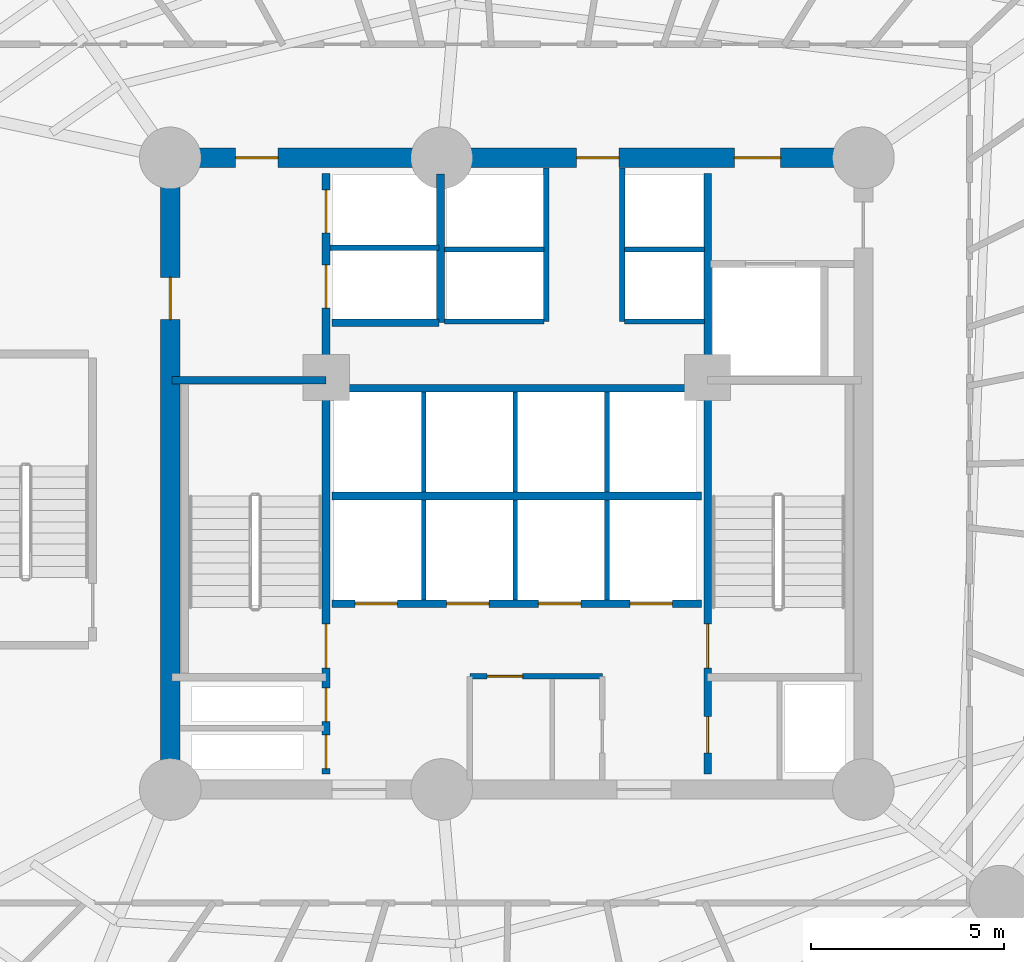
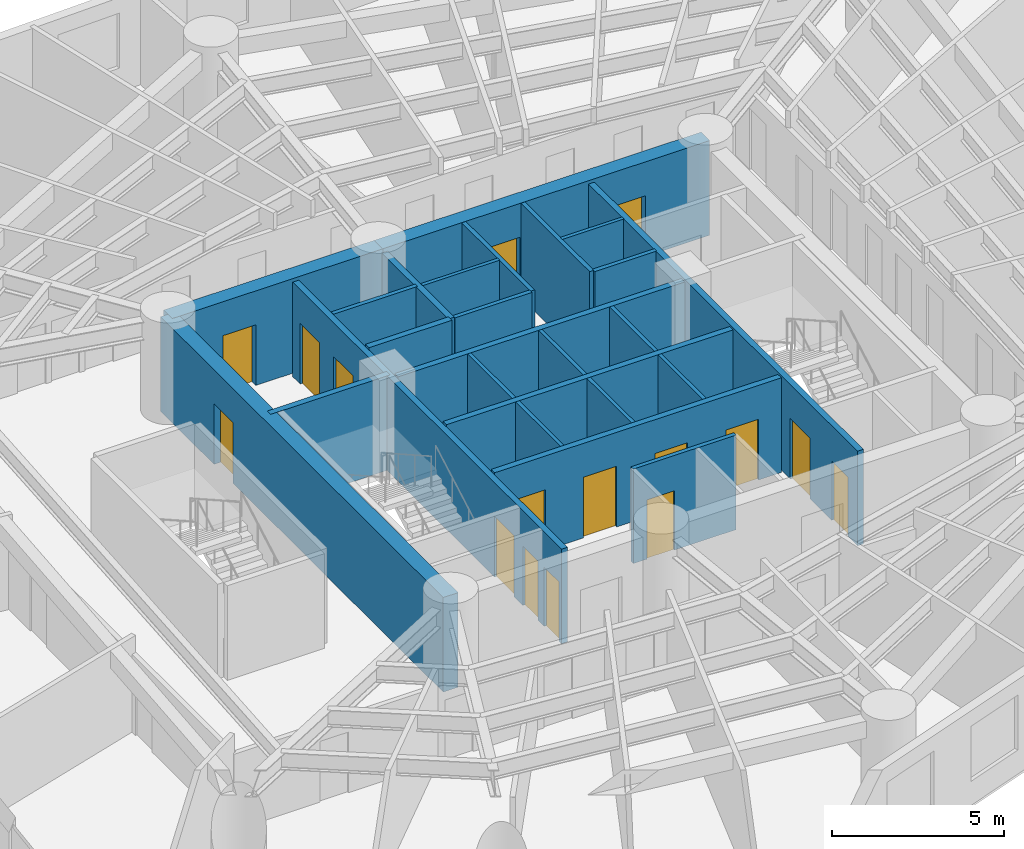
# One storey, part 4 of 8: 25 walls, 16 doors, 16 openings.
"""IFC4 building model written with IfcOpenShell, lengths in metres."""

from ifc_helpers import new_model, si_unit, direction, frame, frame_2d, origin, origin_with_axes, place, context, subcontext, project, spatial, rectangle, extrude, source, transform, mapped, material, layer, layer_set, type_object, element, fill, save


model = new_model("IFC4")

# Units and contexts
model_context = context("Model", 3, precision=1e-05, world=origin(), true_north=direction((0.0, 1.0)))
body_context = subcontext(model_context, "Body", "Model", "MODEL_VIEW")
ifc_project = project(units=[si_unit("LENGTHUNIT", "METRE"), si_unit("AREAUNIT", "SQUARE_METRE"), si_unit("VOLUMEUNIT", "CUBIC_METRE"), si_unit("PLANEANGLEUNIT", "RADIAN"), si_unit("MASSUNIT", "GRAM", prefix="KILO")], contexts=[model_context])

# Site, building, storey
site_placement = place(None, origin())
site = spatial("IfcSite", under=ifc_project, at=site_placement, CompositionType="ELEMENT")
building_placement = place(site_placement, origin())
building = spatial("IfcBuilding", under=site, at=building_placement, Name="Karkom Vertical University and Central Library", CompositionType="ELEMENT")
storey_placement = place(building_placement, frame((0.0, 0.0, 33.699951171875)))
storey = spatial("IfcBuildingStorey", under=building, at=storey_placement, Name="L08", CompositionType="ELEMENT", Elevation=33.699951171875)

# Walls
ifc_material_1 = material(Name="Moisture-resistant drywall 120mm", Category="gypsum")
ifc_layer_1 = layer(ifc_material_1, 0.1201171875)
ifc_layer_set_1 = layer_set([ifc_layer_1], Name="Moisture-resistant drywall 120mm")
wall_type_1 = type_object("IfcWallType", Name="INT-WL-INT-120H", PredefinedType="PARTITIONING", material=ifc_layer_set_1)
for number, where, z_axis, x_axis, name in (
    (1, (26.080078125, 23.219970703125, 0.0), (0.0, 0.0, 1.0), (0.0, 1.0, 0.0), "Level 08 Interior Partition Wall Level 08-CW-PL-DIV1"),
    (2, (28.4599609375, 23.219970703125, 0.0), (0.0, 0.0, 1.0), (0.0, 1.0, 0.0), "Level 08 Interior Partition Wall Level 08-CW-PL-DIV2"),
    (3, (30.840087890625, 23.219970703125, 0.0), (0.0, 0.0, 1.0), (0.0, 1.0, 0.0), "Level 08 Interior Partition Wall Level 08-CW-PL-DIV3"),
    (4, (26.080078125, 26.02001953125, 0.0), (0.0, 0.0, 1.0), (0.0, 1.0, 0.0), "Level 08 Interior Partition Wall Level 08-CW-PM-DIV1"),
    (5, (28.4599609375, 26.02001953125, 0.0), (0.0, 0.0, 1.0), (0.0, 1.0, 0.0), "Level 08 Interior Partition Wall Level 08-CW-PM-DIV2"),
    (6, (30.840087890625, 26.02001953125, 0.0), (0.0, 0.0, 1.0), (0.0, 1.0, 0.0), "Level 08 Interior Partition Wall Level 08-CW-PM-DIV3"),
):
    element("IfcWall", number, at=place(storey_placement, frame(where, z_axis=z_axis, x_axis=x_axis)), inside=storey, type_object=wall_type_1, Name=name, PredefinedType="PARTITIONING", context=body_context, shape_type="SweptSolid", body=[
        extrude(rectangle(XDim=2.60009765625, YDim=0.1201171875, at=frame_2d((1.300048828125, 0.0))), origin(), (0.0, 0.0, 1.0), 3.35009765625),
    ])
wall_1_placement = place(storey_placement, frame((26.6201171875, 32.320068359375, 0.0), z_axis=(0.0, 0.0, 1.0), x_axis=(1.0, 0.0, 0.0)))
element("IfcWall", 7, at=wall_1_placement, inside=storey, type_object=wall_type_1, Name="Level 08 Interior Partition Wall Level 08-CW-PH-MW", PredefinedType="PARTITIONING", context=body_context, shape_type="SweptSolid", body=[
    extrude(rectangle(XDim=2.579833984375, YDim=0.1201171875, at=frame_2d((1.2900390625, 0.0))), origin(), (0.0, 0.0, 1.0), 3.35009765625),
])
wall_2_placement = place(storey_placement, frame((31.300048828125, 32.320068359375, 0.0), z_axis=(0.0, 0.0, 1.0), x_axis=(1.0, 0.0, 0.0)))
element("IfcWall", 8, at=wall_2_placement, inside=storey, type_object=wall_type_1, Name="Level 08 Interior Partition Wall Level 08-CW-PH-ME", PredefinedType="PARTITIONING", context=body_context, shape_type="SweptSolid", body=[
    extrude(rectangle(XDim=2.074951171875, YDim=0.1201171875, at=frame_2d((1.03759765625, 0.0))), origin(), (0.0, 0.0, 1.0), 3.35009765625),
])

# Wall, opening, door
ifc_material_2 = material(Name="Metal-stud gypsum partition 140mm", Category="gypsum")
ifc_layer_2 = layer(ifc_material_2, 0.139892578125)
ifc_layer_set_2 = layer_set([ifc_layer_2], Name="Metal-stud gypsum partition 140mm")
wall_type_2 = type_object("IfcWallType", Name="INT-WL-SUB-140", PredefinedType="PARTITIONING", material=ifc_layer_set_2)
wall_3_placement = place(storey_placement, frame((27.280029296875, 21.239990234375, 0.0), z_axis=(0.0, 0.0, 1.0), x_axis=(1.0, 0.0, 0.0)))
wall_3 = element("IfcWall", 9, at=wall_3_placement, inside=storey, type_object=wall_type_2, Name="Level 08 Interior Partition Wall Level 08-CW-KBAY-N", PredefinedType="PARTITIONING", context=body_context, shape_type="SweptSolid", body=[
    extrude(rectangle(XDim=3.43994140625, YDim=0.139892578125, at=frame_2d((1.719970703125, 0.0))), origin(), (0.0, 0.0, 1.0), 3.35009765625),
])
opening_1_placement = place(wall_3_placement, frame((0.449951171875, 0.0, 0.0)))
opening_1 = element("IfcOpeningElement", 10, at=opening_1_placement, cuts=wall_3, Name="Opening D-SVC1", PredefinedType="OPENING", context=body_context, shape_type="SweptSolid", body=[
    extrude(rectangle(XDim=0.919921875, YDim=2.10009765625, at=frame_2d((0.4599609375, 1.050048828125))), frame((0.0, 0.080078125, 0.0), z_axis=(0.0, -1.0, 0.0), x_axis=(1.0, 0.0, 0.0)), (0.0, 0.0, 1.0), 0.159912109375),
])
ifc_material_3 = material(Name="Painted timber service door", Category="wood")
door_type_1 = type_object("IfcDoorType", Name="INT-DR-SVC1", OperationType="NOTDEFINED", PredefinedType="DOOR", material=ifc_material_3)
shared_shape_1 = source(origin_with_axes(), body_context, "Body", "SweptSolid", [
    extrude(rectangle(XDim=0.919921875, YDim=2.10009765625, at=frame_2d((0.4599609375, 1.050048828125))), frame((0.0, 0.02490234375, 0.0), z_axis=(0.0, -1.0, 0.0), x_axis=(1.0, 0.0, 0.0)), (0.0, 0.0, 1.0), 0.050048828125),
])
door_1_placement = place(opening_1_placement, origin())
door_1 = element("IfcDoor", 11, at=door_1_placement, inside=storey, type_object=door_type_1, Name="Level 08 Copy Room Door", OperationType="SINGLE_SWING_RIGHT", OverallHeight=2.10009765625, OverallWidth=0.919921875, PredefinedType="DOOR", context=body_context, shape_type="MappedRepresentation", body=[
    mapped(shared_shape_1, transform((0.0, 0.0, 0.0), scale=1.0)),
])
fill(opening_1, door_1)

# Walls
ifc_layer_3 = layer(ifc_material_2, 0.139892578125)
ifc_layer_set_3 = layer_set([ifc_layer_3], Name="Metal-stud gypsum partition 140mm")
wall_type_3 = type_object("IfcWallType", Name="INT-WL-SUB-140H", PredefinedType="PARTITIONING", material=ifc_layer_set_3)
for number, where, z_axis, x_axis, name in (
    (12, (29.260009765625, 30.449951171875, 0.0), (0.0, 0.0, 1.0), (0.0, 1.0, 0.0), "Level 08 Interior Partition Wall Level 08-CW-PH-W"),
    (13, (31.239990234375, 30.449951171875, 0.0), (0.0, 0.0, 1.0), (0.0, 1.0, 0.0), "Level 08 Interior Partition Wall Level 08-CW-PH-E"),
):
    element("IfcWall", number, at=place(storey_placement, frame(where, z_axis=z_axis, x_axis=x_axis)), inside=storey, type_object=wall_type_3, Name=name, PredefinedType="PARTITIONING", context=body_context, shape_type="SweptSolid", body=[
        extrude(rectangle(XDim=3.9931640625, YDim=0.139892578125, at=frame_2d((1.99658203125, 0.0))), origin(), (0.0, 0.0, 1.0), 3.35009765625),
    ])
wall_4_placement = place(storey_placement, frame((26.6201171875, 30.449951171875, 0.0), z_axis=(0.0, 0.0, 1.0), x_axis=(1.0, 0.0, 0.0)))
element("IfcWall", 14, at=wall_4_placement, inside=storey, type_object=wall_type_3, Name="Level 08 Interior Partition Wall Level 08-CW-PH-S1", PredefinedType="PARTITIONING", context=body_context, shape_type="SweptSolid", body=[
    extrude(rectangle(XDim=2.579833984375, YDim=0.139892578125, at=frame_2d((1.2900390625, 0.0))), origin(), (0.0, 0.0, 1.0), 3.35009765625),
])
wall_5_placement = place(storey_placement, frame((31.300048828125, 30.449951171875, 0.0), z_axis=(0.0, 0.0, 1.0), x_axis=(1.0, 0.0, 0.0)))
element("IfcWall", 15, at=wall_5_placement, inside=storey, type_object=wall_type_3, Name="Level 08 Interior Partition Wall Level 08-CW-PH-S2", PredefinedType="PARTITIONING", context=body_context, shape_type="SweptSolid", body=[
    extrude(rectangle(XDim=2.074951171875, YDim=0.139892578125, at=frame_2d((1.03759765625, 0.0))), origin(), (0.0, 0.0, 1.0), 3.35009765625),
])
ifc_layer_4 = layer(ifc_material_2, 0.139892578125)
ifc_layer_set_4 = layer_set([ifc_layer_4], Name="Metal-stud gypsum partition 140mm")
wall_type_4 = type_object("IfcWallType", Name="INT-WL-SUB-140X", PredefinedType="PARTITIONING", material=ifc_layer_set_4)
wall_6_placement = place(storey_placement, frame((23.652099609375, 32.3701171875, 0.0), z_axis=(0.0, 0.0, 1.0), x_axis=(1.0, 0.0, 0.0)))
element("IfcWall", 16, at=wall_6_placement, inside=storey, type_object=wall_type_4, Name="Level 08 Interior Partition Wall Level 08-CW-FFL-M", PredefinedType="PARTITIONING", context=body_context, shape_type="SweptSolid", body=[
    extrude(rectangle(XDim=2.827880859375, YDim=0.139892578125, at=frame_2d((1.4140625, 0.0))), origin(), (0.0, 0.0, 1.0), 3.35009765625),
])

# Wall, openings, doors
ifc_material_4 = material(Name="Concrete C50/60", Category="concrete")
ifc_layer_5 = layer(ifc_material_4, 0.5)
ifc_layer_set_5 = layer_set([ifc_layer_5], Name="Concrete C50/60")
wall_type_5 = type_object("IfcWallType", Name="STR-WL-CW-500", PredefinedType="SHEAR", material=ifc_layer_set_5)
wall_7_placement = place(storey_placement, frame((37.5, 34.699951171875, 0.0), z_axis=(0.0, 0.0, 1.0), x_axis=(-1.0, 0.0, 0.0)))
wall_7 = element("IfcWall", 17, at=wall_7_placement, inside=storey, type_object=wall_type_5, Name="Level 08 Central Core Shear Wall NW1", PredefinedType="SHEAR", context=body_context, shape_type="SweptSolid", body=[
    extrude(rectangle(XDim=10.949951171875, YDim=0.5, at=frame_2d((5.47509765625, 0.0))), origin(), (0.0, 0.0, 1.0), 3.35009765625),
])
opening_2_placement = place(wall_7_placement, frame((2.14990234375, 0.0, 0.0)))
opening_2 = element("IfcOpeningElement", 18, at=opening_2_placement, cuts=wall_7, Name="Opening FD-SUB1", PredefinedType="OPENING", context=body_context, shape_type="SweptSolid", body=[
    extrude(rectangle(XDim=1.199951171875, YDim=2.14990234375, at=frame_2d((0.60009765625, 1.074951171875))), frame((0.0, 0.260009765625, 0.0), z_axis=(0.0, -1.0, 0.0), x_axis=(1.0, 0.0, 0.0)), (0.0, 0.0, 1.0), 0.52001953125),
])
opening_3_placement = place(wall_7_placement, frame((6.35009765625, 0.0, 0.0)))
opening_3 = element("IfcOpeningElement", 19, at=opening_3_placement, cuts=wall_7, Name="Opening FD-FFL", PredefinedType="OPENING", context=body_context, shape_type="SweptSolid", body=[
    extrude(rectangle(XDim=1.10009765625, YDim=2.14990234375, at=frame_2d((0.550048828125, 1.074951171875))), frame((0.0, 0.260009765625, 0.0), z_axis=(0.0, -1.0, 0.0), x_axis=(1.0, 0.0, 0.0)), (0.0, 0.0, 1.0), 0.52001953125),
])
ifc_material_5 = material(Name="Painted steel smoke-seal fire door", Category="steel")
door_type_2 = type_object("IfcDoorType", Name="INT-DR-FFL", OperationType="NOTDEFINED", PredefinedType="DOOR", material=ifc_material_5)
shared_shape_2 = source(origin_with_axes(), body_context, "Body", "SweptSolid", [
    extrude(rectangle(XDim=1.10009765625, YDim=2.14990234375, at=frame_2d((0.550048828125, 1.074951171875))), frame((0.0, 0.02490234375, 0.0), z_axis=(0.0, -1.0, 0.0), x_axis=(1.0, 0.0, 0.0)), (0.0, 0.0, 1.0), 0.050048828125),
])
door_2_placement = place(opening_3_placement, origin())
door_2 = element("IfcDoor", 20, at=door_2_placement, inside=storey, type_object=door_type_2, Name="Level 08 North Core Lobby Exit Door", OperationType="SINGLE_SWING_RIGHT", OverallHeight=2.14990234375, OverallWidth=1.10009765625, PredefinedType="DOOR", context=body_context, shape_type="MappedRepresentation", body=[
    mapped(shared_shape_2, transform((0.0, 0.0, 0.0), scale=1.0)),
])
fill(opening_3, door_2)
ifc_material_6 = material(Name="Painted steel fire door", Category="steel")
door_type_3 = type_object("IfcDoorType", Name="INT-DR-SUB1", OperationType="NOTDEFINED", PredefinedType="DOOR", material=ifc_material_6)
shared_shape_3 = source(origin_with_axes(), body_context, "Body", "SweptSolid", [
    extrude(rectangle(XDim=1.199951171875, YDim=2.14990234375, at=frame_2d((0.60009765625, 1.074951171875))), frame((0.0, 0.02490234375, 0.0), z_axis=(0.0, -1.0, 0.0), x_axis=(1.0, 0.0, 0.0)), (0.0, 0.0, 1.0), 0.050048828125),
])
door_3_placement = place(opening_2_placement, origin())
door_3 = element("IfcDoor", 21, at=door_3_placement, inside=storey, type_object=door_type_3, Name="Level 08 Service Lobby Fire Door", OperationType="SINGLE_SWING_RIGHT", OverallHeight=2.14990234375, OverallWidth=1.199951171875, PredefinedType="DOOR", context=body_context, shape_type="MappedRepresentation", body=[
    mapped(shared_shape_3, transform((0.0, 0.0, 0.0), scale=1.0)),
])
fill(opening_2, door_3)

# Wall, opening, door
wall_8_placement = place(storey_placement, frame((26.550048828125, 34.699951171875, 0.0), z_axis=(0.0, 0.0, 1.0), x_axis=(-1.0, 0.0, 0.0)))
wall_8 = element("IfcWall", 22, at=wall_8_placement, inside=storey, type_object=wall_type_5, Name="Level 08 Central Core Shear Wall NW2", PredefinedType="SHEAR", context=body_context, shape_type="SweptSolid", body=[
    extrude(rectangle(XDim=7.050048828125, YDim=0.5, at=frame_2d((3.52490234375, 0.0))), origin(), (0.0, 0.0, 1.0), 3.35009765625),
])
opening_4_placement = place(wall_8_placement, frame((4.25, 0.0, 0.0)))
opening_4 = element("IfcOpeningElement", 23, at=opening_4_placement, cuts=wall_8, Name="Opening FD-FFL", PredefinedType="OPENING", context=body_context, shape_type="SweptSolid", body=[
    extrude(rectangle(XDim=1.10009765625, YDim=2.14990234375, at=frame_2d((0.550048828125, 1.074951171875))), frame((0.0, 0.260009765625, 0.0), z_axis=(0.0, -1.0, 0.0), x_axis=(1.0, 0.0, 0.0)), (0.0, 0.0, 1.0), 0.52001953125),
])
door_4_placement = place(opening_4_placement, origin())
door_4 = element("IfcDoor", 24, at=door_4_placement, inside=storey, type_object=door_type_2, Name="Level 08 Firefighting Lobby Door", OperationType="SINGLE_SWING_LEFT", OverallHeight=2.14990234375, OverallWidth=1.10009765625, PredefinedType="DOOR", context=body_context, shape_type="MappedRepresentation", body=[
    mapped(shared_shape_2, transform((0.0, 0.0, 0.0), scale=1.0)),
])
fill(opening_4, door_4)

wall_9_placement = place(storey_placement, frame((19.5, 34.699951171875, 0.0), z_axis=(0.0, 0.0, 1.0), x_axis=(0.0, -1.0, 0.0)))
wall_9 = element("IfcWall", 25, at=wall_9_placement, inside=storey, type_object=wall_type_5, Name="Level 08 Central Core Shear Wall WW", PredefinedType="SHEAR", context=body_context, shape_type="SweptSolid", body=[
    extrude(rectangle(XDim=16.39990234375, YDim=0.5, at=frame_2d((8.199951171875, 0.0))), origin(), (0.0, 0.0, 1.0), 3.35009765625),
])
opening_5_placement = place(wall_9_placement, frame((3.10009765625, 0.0, 0.0)))
opening_5 = element("IfcOpeningElement", 26, at=opening_5_placement, cuts=wall_9, Name="Opening FD-FFL", PredefinedType="OPENING", context=body_context, shape_type="SweptSolid", body=[
    extrude(rectangle(XDim=1.10009765625, YDim=2.14990234375, at=frame_2d((0.550048828125, 1.074951171875))), frame((0.0, 0.260009765625, 0.0), z_axis=(0.0, -1.0, 0.0), x_axis=(1.0, 0.0, 0.0)), (0.0, 0.0, 1.0), 0.52001953125),
])
door_5_placement = place(opening_5_placement, origin())
door_5 = element("IfcDoor", 27, at=door_5_placement, inside=storey, type_object=door_type_2, Name="Level 08 West Corridor Firefighting Lobby Door", OperationType="SINGLE_SWING_RIGHT", OverallHeight=2.14990234375, OverallWidth=1.10009765625, PredefinedType="DOOR", context=body_context, shape_type="MappedRepresentation", body=[
    mapped(shared_shape_2, transform((0.0, 0.0, 0.0), scale=1.0)),
])
fill(opening_5, door_5)

# Wall, openings, doors
ifc_material_7 = material(Name="Concrete C45/55", Category="concrete")
ifc_layer_6 = layer(ifc_material_7, 0.199951171875)
ifc_layer_set_6 = layer_set([ifc_layer_6], Name="Concrete C45/55")
wall_type_6 = type_object("IfcWallType", Name="STR-WL-ST-200", PredefinedType="SHEAR", material=ifc_layer_set_6)
wall_10_placement = place(storey_placement, frame((23.544921875, 18.699951171875, 0.0), z_axis=(0.0, 0.0, 1.0), x_axis=(0.0, 1.0, 0.0)))
wall_10 = element("IfcWall", 28, at=wall_10_placement, inside=storey, type_object=wall_type_6, Name="Level 08 Core Shaft Wall Level 08-CW-ST1-E", PredefinedType="SHEAR", context=body_context, shape_type="SweptSolid", body=[
    extrude(rectangle(XDim=15.60009765625, YDim=0.199951171875, at=frame_2d((7.800048828125, 0.0))), origin(), (0.0, 0.0, 1.0), 3.35009765625),
])
opening_6_placement = place(wall_10_placement, frame((2.75, 0.0, 0.0)))
opening_6 = element("IfcOpeningElement", 29, at=opening_6_placement, cuts=wall_10, Name="Opening FD-ST1", PredefinedType="OPENING", context=body_context, shape_type="SweptSolid", body=[
    extrude(rectangle(XDim=1.14990234375, YDim=2.14990234375, at=frame_2d((0.574951171875, 1.074951171875))), frame((0.0, 0.10986328125, 0.0), z_axis=(0.0, -1.0, 0.0), x_axis=(1.0, 0.0, 0.0)), (0.0, 0.0, 1.0), 0.219970703125),
])
opening_7_placement = place(wall_10_placement, frame((0.139892578125, 0.0, 0.0)))
opening_7 = element("IfcOpeningElement", 30, at=opening_7_placement, cuts=wall_10, Name="Opening FD-RIS", PredefinedType="OPENING", context=body_context, shape_type="SweptSolid", body=[
    extrude(rectangle(XDim=0.8798828125, YDim=2.10009765625, at=frame_2d((0.43994140625, 1.050048828125))), frame((0.0, 0.10986328125, 0.0), z_axis=(0.0, -1.0, 0.0), x_axis=(1.0, 0.0, 0.0)), (0.0, 0.0, 1.0), 0.219970703125),
])
opening_8_placement = place(wall_10_placement, frame((1.360107421875, 0.0, 0.0)))
opening_8 = element("IfcOpeningElement", 31, at=opening_8_placement, cuts=wall_10, Name="Opening FD-RIS", PredefinedType="OPENING", context=body_context, shape_type="SweptSolid", body=[
    extrude(rectangle(XDim=0.8798828125, YDim=2.10009765625, at=frame_2d((0.43994140625, 1.050048828125))), frame((0.0, 0.10986328125, 0.0), z_axis=(0.0, -1.0, 0.0), x_axis=(1.0, 0.0, 0.0)), (0.0, 0.0, 1.0), 0.219970703125),
])
opening_9_placement = place(wall_10_placement, frame((12.10009765625, 0.0, 0.0)))
opening_9 = element("IfcOpeningElement", 32, at=opening_9_placement, cuts=wall_10, Name="Opening LD-FFL", PredefinedType="OPENING", context=body_context, shape_type="SweptSolid", body=[
    extrude(rectangle(XDim=1.1201171875, YDim=2.14990234375, at=frame_2d((0.56005859375, 1.074951171875))), frame((0.0, 0.10986328125, 0.0), z_axis=(0.0, -1.0, 0.0), x_axis=(1.0, 0.0, 0.0)), (0.0, 0.0, 1.0), 0.219970703125),
])
opening_10_placement = place(wall_10_placement, frame((14.050048828125, 0.0, 0.0)))
opening_10 = element("IfcOpeningElement", 33, at=opening_10_placement, cuts=wall_10, Name="Opening LD-FFL", PredefinedType="OPENING", context=body_context, shape_type="SweptSolid", body=[
    extrude(rectangle(XDim=1.1201171875, YDim=2.14990234375, at=frame_2d((0.56005859375, 1.074951171875))), frame((0.0, 0.10986328125, 0.0), z_axis=(0.0, -1.0, 0.0), x_axis=(1.0, 0.0, 0.0)), (0.0, 0.0, 1.0), 0.219970703125),
])
ifc_material_8 = material(Name="Painted steel acoustic fire door", Category="steel")
door_type_4 = type_object("IfcDoorType", Name="INT-DR-ST1", OperationType="NOTDEFINED", PredefinedType="DOOR", material=ifc_material_8)
shared_shape_4 = source(origin_with_axes(), body_context, "Body", "SweptSolid", [
    extrude(rectangle(XDim=1.14990234375, YDim=2.14990234375, at=frame_2d((0.574951171875, 1.074951171875))), frame((0.0, 0.02490234375, 0.0), z_axis=(0.0, -1.0, 0.0), x_axis=(1.0, 0.0, 0.0)), (0.0, 0.0, 1.0), 0.050048828125),
])
door_6_placement = place(opening_6_placement, origin())
door_6 = element("IfcDoor", 34, at=door_6_placement, inside=storey, type_object=door_type_4, Name="Level 08 Stair ST-1 Fire Door", OperationType="SINGLE_SWING_LEFT", OverallHeight=2.14990234375, OverallWidth=1.14990234375, PredefinedType="DOOR", context=body_context, shape_type="MappedRepresentation", body=[
    mapped(shared_shape_4, transform((0.0, 0.0, 0.0), scale=1.0)),
])
fill(opening_6, door_6)
ifc_material_9 = material(Name="Painted steel riser access door", Category="steel")
door_type_5 = type_object("IfcDoorType", Name="INT-DR-RIS", OperationType="NOTDEFINED", PredefinedType="DOOR", material=ifc_material_9)
shared_shape_5 = source(origin_with_axes(), body_context, "Body", "SweptSolid", [
    extrude(rectangle(XDim=0.8798828125, YDim=2.10009765625, at=frame_2d((0.43994140625, 1.050048828125))), frame((0.0, 0.02490234375, 0.0), z_axis=(0.0, -1.0, 0.0), x_axis=(1.0, 0.0, 0.0)), (0.0, 0.0, 1.0), 0.050048828125),
])
door_7_placement = place(opening_7_placement, origin())
door_7 = element("IfcDoor", 35, at=door_7_placement, inside=storey, type_object=door_type_5, Name="Level 08 Electrical Riser Access Door", OperationType="SINGLE_SWING_LEFT", OverallHeight=2.10009765625, OverallWidth=0.8798828125, PredefinedType="DOOR", context=body_context, shape_type="MappedRepresentation", body=[
    mapped(shared_shape_5, transform((0.0, 0.0, 0.0), scale=1.0)),
])
fill(opening_7, door_7)
door_8_placement = place(opening_8_placement, origin())
door_8 = element("IfcDoor", 36, at=door_8_placement, inside=storey, type_object=door_type_5, Name="Level 08 Telecom Riser Access Door", OperationType="SINGLE_SWING_RIGHT", OverallHeight=2.10009765625, OverallWidth=0.8798828125, PredefinedType="DOOR", context=body_context, shape_type="MappedRepresentation", body=[
    mapped(shared_shape_5, transform((0.0, 0.0, 0.0), scale=1.0)),
])
fill(opening_8, door_8)
ifc_material_10 = material(Name="Fire-rated stainless-steel landing door", Category="steel")
door_type_6 = type_object("IfcDoorType", Name="INT-DR-LD-FFL", OperationType="SLIDING_TO_LEFT", PredefinedType="DOOR", material=ifc_material_10)
shared_shape_6 = source(origin_with_axes(), body_context, "Body", "SweptSolid", [
    extrude(rectangle(XDim=1.1201171875, YDim=2.14990234375, at=frame_2d((0.56005859375, 1.074951171875))), frame((0.0, 0.02490234375, 0.0), z_axis=(0.0, -1.0, 0.0), x_axis=(1.0, 0.0, 0.0)), (0.0, 0.0, 1.0), 0.050048828125),
])
door_9_placement = place(opening_9_placement, origin())
door_9 = element("IfcDoor", 37, at=door_9_placement, inside=storey, type_object=door_type_6, Name="Level 08 Firefighting Lift FFL-1 Landing Door", OperationType="SLIDING_TO_LEFT", OverallHeight=2.14990234375, OverallWidth=1.1201171875, PredefinedType="DOOR", context=body_context, shape_type="MappedRepresentation", body=[
    mapped(shared_shape_6, transform((0.0, 0.0, 0.0), scale=1.0)),
])
fill(opening_9, door_9)
door_10_placement = place(opening_10_placement, origin())
door_10 = element("IfcDoor", 38, at=door_10_placement, inside=storey, type_object=door_type_6, Name="Level 08 Firefighting Lift FFL-2 Landing Door", OperationType="SLIDING_TO_RIGHT", OverallHeight=2.14990234375, OverallWidth=1.1201171875, PredefinedType="DOOR", context=body_context, shape_type="MappedRepresentation", body=[
    mapped(shared_shape_6, transform((0.0, 0.0, 0.0), scale=1.0)),
])
fill(opening_10, door_10)

wall_11_placement = place(storey_placement, frame((33.455078125, 18.699951171875, 0.0), z_axis=(0.0, 0.0, 1.0), x_axis=(0.0, 1.0, 0.0)))
wall_11 = element("IfcWall", 39, at=wall_11_placement, inside=storey, type_object=wall_type_6, Name="Level 08 Core Shaft Wall Level 08-CW-ST2-W", PredefinedType="SHEAR", context=body_context, shape_type="SweptSolid", body=[
    extrude(rectangle(XDim=15.60009765625, YDim=0.199951171875, at=frame_2d((7.800048828125, 0.0))), origin(), (0.0, 0.0, 1.0), 3.35009765625),
])
opening_11_placement = place(wall_11_placement, frame((2.75, 0.0, 0.0)))
opening_11 = element("IfcOpeningElement", 40, at=opening_11_placement, cuts=wall_11, Name="Opening FD-ST1", PredefinedType="OPENING", context=body_context, shape_type="SweptSolid", body=[
    extrude(rectangle(XDim=1.14990234375, YDim=2.14990234375, at=frame_2d((0.574951171875, 1.074951171875))), frame((0.0, 0.10986328125, 0.0), z_axis=(0.0, -1.0, 0.0), x_axis=(1.0, 0.0, 0.0)), (0.0, 0.0, 1.0), 0.219970703125),
])
opening_12_placement = place(wall_11_placement, frame((0.550048828125, 0.0, 0.0)))
opening_12 = element("IfcOpeningElement", 41, at=opening_12_placement, cuts=wall_11, Name="Opening D-WC1", PredefinedType="OPENING", context=body_context, shape_type="SweptSolid", body=[
    extrude(rectangle(XDim=0.93994140625, YDim=2.10009765625, at=frame_2d((0.469970703125, 1.050048828125))), frame((0.0, 0.10986328125, 0.0), z_axis=(0.0, -1.0, 0.0), x_axis=(1.0, 0.0, 0.0)), (0.0, 0.0, 1.0), 0.219970703125),
])
door_11_placement = place(opening_11_placement, origin())
door_11 = element("IfcDoor", 42, at=door_11_placement, inside=storey, type_object=door_type_4, Name="Level 08 Stair ST-2 Fire Door", OperationType="SINGLE_SWING_RIGHT", OverallHeight=2.14990234375, OverallWidth=1.14990234375, PredefinedType="DOOR", context=body_context, shape_type="MappedRepresentation", body=[
    mapped(shared_shape_4, transform((0.0, 0.0, 0.0), scale=1.0)),
])
fill(opening_11, door_11)
ifc_material_11 = material(Name="Fire-rated laminate moisture-resistant door", Category="wood")
door_type_7 = type_object("IfcDoorType", Name="INT-DR-WC1", OperationType="NOTDEFINED", PredefinedType="DOOR", material=ifc_material_11)
shared_shape_7 = source(origin_with_axes(), body_context, "Body", "SweptSolid", [
    extrude(rectangle(XDim=0.93994140625, YDim=2.10009765625, at=frame_2d((0.469970703125, 1.050048828125))), frame((0.0, 0.02490234375, 0.0), z_axis=(0.0, -1.0, 0.0), x_axis=(1.0, 0.0, 0.0)), (0.0, 0.0, 1.0), 0.050048828125),
])
door_12_placement = place(opening_12_placement, origin())
door_12 = element("IfcDoor", 43, at=door_12_placement, inside=storey, type_object=door_type_7, Name="Level 08 Accessible WC Door", OperationType="SINGLE_SWING_LEFT", OverallHeight=2.10009765625, OverallWidth=0.93994140625, PredefinedType="DOOR", context=body_context, shape_type="MappedRepresentation", body=[
    mapped(shared_shape_7, transform((0.0, 0.0, 0.0), scale=1.0)),
])
fill(opening_12, door_12)

wall_12_placement = place(storey_placement, frame((23.699951171875, 23.1201171875, 0.0), z_axis=(0.0, 0.0, 1.0), x_axis=(1.0, 0.0, 0.0)))
wall_12 = element("IfcWall", 44, at=wall_12_placement, inside=storey, type_object=wall_type_6, Name="Level 08 Core Shaft Wall Level 08-CW-B1-S", PredefinedType="SHEAR", context=body_context, shape_type="SweptSolid", body=[
    extrude(rectangle(XDim=9.60009765625, YDim=0.199951171875, at=frame_2d((4.800048828125, 0.0))), origin(), (0.0, 0.0, 1.0), 3.35009765625),
])
opening_13_placement = place(wall_12_placement, frame((0.60009765625, 0.0, 0.0)))
opening_13 = element("IfcOpeningElement", 45, at=opening_13_placement, cuts=wall_12, Name="Opening LD-PAX", PredefinedType="OPENING", context=body_context, shape_type="SweptSolid", body=[
    extrude(rectangle(XDim=1.10009765625, YDim=2.14990234375, at=frame_2d((0.550048828125, 1.074951171875))), frame((0.0, 0.10986328125, 0.0), z_axis=(0.0, -1.0, 0.0), x_axis=(1.0, 0.0, 0.0)), (0.0, 0.0, 1.0), 0.219970703125),
])
opening_14_placement = place(wall_12_placement, frame((2.97998046875, 0.0, 0.0)))
opening_14 = element("IfcOpeningElement", 46, at=opening_14_placement, cuts=wall_12, Name="Opening LD-PAX", PredefinedType="OPENING", context=body_context, shape_type="SweptSolid", body=[
    extrude(rectangle(XDim=1.10009765625, YDim=2.14990234375, at=frame_2d((0.550048828125, 1.074951171875))), frame((0.0, 0.10986328125, 0.0), z_axis=(0.0, -1.0, 0.0), x_axis=(1.0, 0.0, 0.0)), (0.0, 0.0, 1.0), 0.219970703125),
])
opening_15_placement = place(wall_12_placement, frame((5.360107421875, 0.0, 0.0)))
opening_15 = element("IfcOpeningElement", 47, at=opening_15_placement, cuts=wall_12, Name="Opening LD-PAX", PredefinedType="OPENING", context=body_context, shape_type="SweptSolid", body=[
    extrude(rectangle(XDim=1.10009765625, YDim=2.14990234375, at=frame_2d((0.550048828125, 1.074951171875))), frame((0.0, 0.10986328125, 0.0), z_axis=(0.0, -1.0, 0.0), x_axis=(1.0, 0.0, 0.0)), (0.0, 0.0, 1.0), 0.219970703125),
])
opening_16_placement = place(wall_12_placement, frame((7.739990234375, 0.0, 0.0)))
opening_16 = element("IfcOpeningElement", 48, at=opening_16_placement, cuts=wall_12, Name="Opening LD-PAX", PredefinedType="OPENING", context=body_context, shape_type="SweptSolid", body=[
    extrude(rectangle(XDim=1.10009765625, YDim=2.14990234375, at=frame_2d((0.550048828125, 1.074951171875))), frame((0.0, 0.10986328125, 0.0), z_axis=(0.0, -1.0, 0.0), x_axis=(1.0, 0.0, 0.0)), (0.0, 0.0, 1.0), 0.219970703125),
])
ifc_material_12 = material(Name="Brushed stainless-steel landing door", Category="steel")
door_type_8 = type_object("IfcDoorType", Name="INT-DR-LD-PAX", OperationType="SLIDING_TO_LEFT", PredefinedType="DOOR", material=ifc_material_12)
door_13_placement = place(opening_13_placement, origin())
door_13 = element("IfcDoor", 49, at=door_13_placement, inside=storey, type_object=door_type_8, Name="Level 08 Lift PL-1 Landing Door", OperationType="SLIDING_TO_LEFT", OverallHeight=2.14990234375, OverallWidth=1.10009765625, PredefinedType="DOOR", context=body_context, shape_type="MappedRepresentation", body=[
    mapped(shared_shape_2, transform((0.0, 0.0, 0.0), scale=1.0)),
])
fill(opening_13, door_13)
door_14_placement = place(opening_14_placement, origin())
door_14 = element("IfcDoor", 50, at=door_14_placement, inside=storey, type_object=door_type_8, Name="Level 08 Lift PL-2 Landing Door", OperationType="SLIDING_TO_RIGHT", OverallHeight=2.14990234375, OverallWidth=1.10009765625, PredefinedType="DOOR", context=body_context, shape_type="MappedRepresentation", body=[
    mapped(shared_shape_2, transform((0.0, 0.0, 0.0), scale=1.0)),
])
fill(opening_14, door_14)
door_15_placement = place(opening_15_placement, origin())
door_15 = element("IfcDoor", 51, at=door_15_placement, inside=storey, type_object=door_type_8, Name="Level 08 Lift PL-3 Landing Door", OperationType="SLIDING_TO_LEFT", OverallHeight=2.14990234375, OverallWidth=1.10009765625, PredefinedType="DOOR", context=body_context, shape_type="MappedRepresentation", body=[
    mapped(shared_shape_2, transform((0.0, 0.0, 0.0), scale=1.0)),
])
fill(opening_15, door_15)
door_16_placement = place(opening_16_placement, origin())
door_16 = element("IfcDoor", 52, at=door_16_placement, inside=storey, type_object=door_type_8, Name="Level 08 Lift PL-4 Landing Door", OperationType="SLIDING_TO_RIGHT", OverallHeight=2.14990234375, OverallWidth=1.10009765625, PredefinedType="DOOR", context=body_context, shape_type="MappedRepresentation", body=[
    mapped(shared_shape_2, transform((0.0, 0.0, 0.0), scale=1.0)),
])
fill(opening_16, door_16)

# Walls
for number, where, z_axis, x_axis, name in (
    (53, (23.699951171875, 25.919921875, 0.0), (0.0, 0.0, 1.0), (1.0, 0.0, 0.0), "Level 08 Core Shaft Wall Level 08-CW-B1-N"),
    (54, (23.699951171875, 28.719970703125, 0.0), (0.0, 0.0, 1.0), (1.0, 0.0, 0.0), "Level 08 Core Shaft Wall Level 08-CW-B2-N"),
):
    element("IfcWall", number, at=place(storey_placement, frame(where, z_axis=z_axis, x_axis=x_axis)), inside=storey, type_object=wall_type_6, Name=name, PredefinedType="SHEAR", context=body_context, shape_type="SweptSolid", body=[
        extrude(rectangle(XDim=9.60009765625, YDim=0.199951171875, at=frame_2d((4.800048828125, 0.0))), origin(), (0.0, 0.0, 1.0), 3.35009765625),
    ])
wall_13_placement = place(storey_placement, frame((19.550048828125, 28.925048828125, 0.0), z_axis=(0.0, 0.0, 1.0), x_axis=(1.0, 0.0, 0.0)))
element("IfcWall", 55, at=wall_13_placement, inside=storey, type_object=wall_type_6, Name="Level 08 Core Shaft Wall Level 08-CW-ST1-N", PredefinedType="SHEAR", context=body_context, shape_type="SweptSolid", body=[
    extrude(rectangle(XDim=3.994873046875, YDim=0.199951171875, at=frame_2d((1.99755859375, 0.0))), origin(), (0.0, 0.0, 1.0), 3.35009765625),
])
wall_14_placement = place(storey_placement, frame((26.52001953125, 30.419921875, 0.0), z_axis=(0.0, 0.0, 1.0), x_axis=(0.0, 1.0, 0.0)))
element("IfcWall", 56, at=wall_14_placement, inside=storey, type_object=wall_type_6, Name="Level 08 Core Shaft Wall Level 08-CW-FFL-E", PredefinedType="SHEAR", context=body_context, shape_type="SweptSolid", body=[
    extrude(rectangle(XDim=3.860107421875, YDim=0.199951171875, at=frame_2d((1.93017578125, 0.0))), origin(), (0.0, 0.0, 1.0), 3.35009765625),
])
wall_15_placement = place(storey_placement, frame((23.699951171875, 30.419921875, 0.0), z_axis=(0.0, 0.0, 1.0), x_axis=(1.0, 0.0, 0.0)))
element("IfcWall", 57, at=wall_15_placement, inside=storey, type_object=wall_type_6, Name="Level 08 Core Shaft Wall Level 08-CW-FFL-S", PredefinedType="SHEAR", context=body_context, shape_type="SweptSolid", body=[
    extrude(rectangle(XDim=2.780029296875, YDim=0.199951171875, at=frame_2d((1.39013671875, 0.0))), origin(), (0.0, 0.0, 1.0), 3.35009765625),
])

save(model, "model.ifc")
